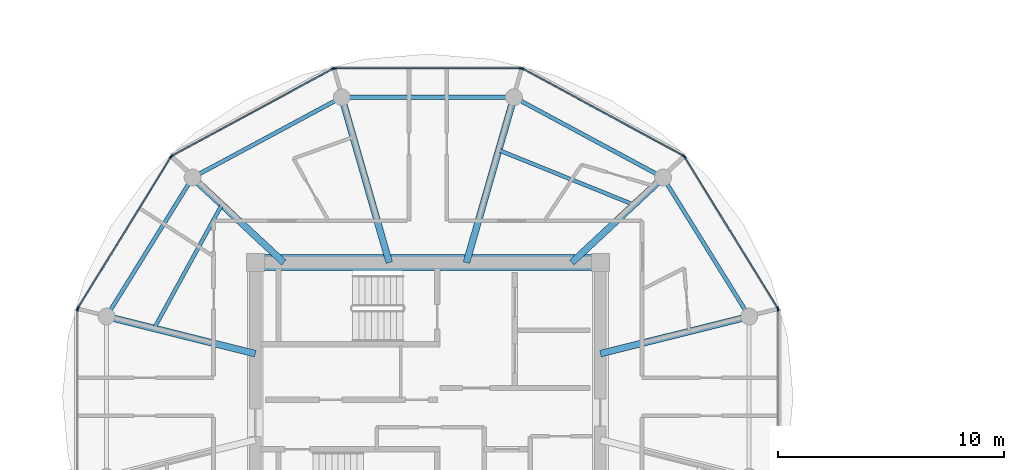
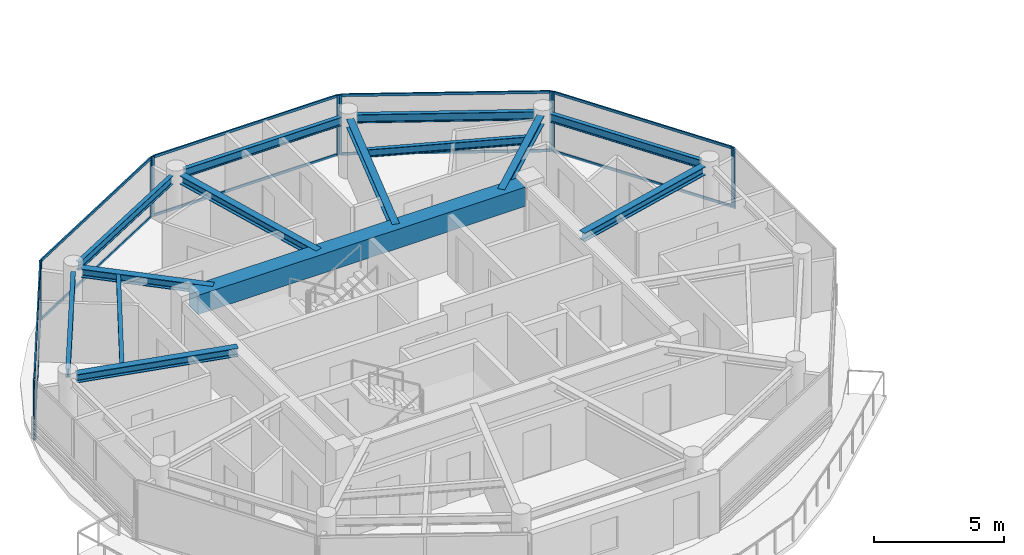
# One storey, part 4 of 19: 22 members, 14 beams, 7 elements without a shape of their own.
"""IFC4 building model written with IfcOpenShell, lengths in metres."""

from ifc_helpers import new_model, si_unit, direction, frame, origin, origin_2d, place, context, subcontext, project, spatial, rectangle, i_section, extrude, source, transform, mapped, material, layer, layer_set, material_profile, profile_set, type_object, type_shapes, element, aggregate, save


model = new_model("IFC4")

# Units and contexts
model_context = context("Model", 3, precision=1e-05, world=origin(), true_north=direction((0.0, 1.0)))
body_context = subcontext(model_context, "Body", "Model", "MODEL_VIEW")
ifc_project = project(units=[si_unit("LENGTHUNIT", "METRE"), si_unit("AREAUNIT", "SQUARE_METRE"), si_unit("VOLUMEUNIT", "CUBIC_METRE"), si_unit("PLANEANGLEUNIT", "RADIAN"), si_unit("MASSUNIT", "GRAM", prefix="KILO")], contexts=[model_context])

# Site, building, storey
site_placement = place(None, origin())
site = spatial("IfcSite", under=ifc_project, at=site_placement, CompositionType="ELEMENT")
building_placement = place(site_placement, origin())
building = spatial("IfcBuilding", under=site, at=building_placement, Name="Norrkilde Senior Care Towers", CompositionType="ELEMENT")
storey_placement = place(building_placement, frame((0.0, 0.0, 235.25)))
storey = spatial("IfcBuildingStorey", under=building, at=storey_placement, Name="L73", CompositionType="ELEMENT", Elevation=235.25)

# Beams
ifc_material_1 = material(Name="Concrete C60/75", Category="concrete")
ifc_material_profile_1 = material_profile(ifc_material_1, rectangle(XDim=0.699951171875, YDim=0.89990234375, at=origin_2d()), Name="RC BM 700x900")
ifc_profile_set_1 = profile_set([ifc_material_profile_1], Name="Concrete C60/75")
beam_type_1 = type_object("IfcBeamType", Name="Core Coupling Girder 700x900", PredefinedType="USERDEFINED", material=ifc_profile_set_1)
shared_shape_1 = source(origin(), body_context, "Body", "SweptSolid", [
    extrude(rectangle(XDim=0.699951171875, YDim=0.89990234375, at=origin_2d()), origin(), (0.0, 0.0, 1.0), 14.5400390625),
])
type_shapes(beam_type_1, [shared_shape_1])
beam_1_placement = place(storey_placement, frame((-35.27001953125, 5.949951171875, 2.360107421875), z_axis=(1.0, 0.0, 0.0), x_axis=(0.0, 1.0, 0.0)))
element("IfcBeam", 1, at=beam_1_placement, inside=storey, type_object=beam_type_1, Name="L73 Core W N Coupling Girder", ObjectType="GIRDER", PredefinedType="USERDEFINED", context=body_context, shape_type="MappedRepresentation", body=[
    mapped(shared_shape_1, transform((0.0, 0.0, 0.0), x_axis=(1.0, 0.0, 0.0), y_axis=(0.0, 1.0, 0.0), z_axis=(0.0, 0.0, 1.0), scale=1.0)),
])
ifc_material_2 = material(Name="Steel S355", Category="steel")
ifc_material_profile_2 = material_profile(ifc_material_2, i_section(OverallWidth=0.179931640625, OverallDepth=0.39990234375, WebThickness=0.008544921875, FlangeThickness=0.013427734375, FilletRadius=0.02099609375, at=origin_2d()), Name="IPE 400")
ifc_profile_set_2 = profile_set([ifc_material_profile_2], Name="Steel S355")
beam_type_2 = type_object("IfcBeamType", Name="Perimeter Ring Spandrel Z4 IPE400", PredefinedType="SPANDREL", material=ifc_profile_set_2)
shared_shape_2 = source(origin(), body_context, "Body", "SweptSolid", [
    extrude(i_section(OverallWidth=0.179931640625, OverallDepth=0.39990234375, WebThickness=0.008544921875, FlangeThickness=0.013427734375, FilletRadius=0.02099609375, at=origin_2d()), origin(), (0.0, 0.0, 1.0), 6.58056640625),
])
for number, where, z_axis, x_axis, name in (
    (2, (-13.928955078125, 3.843505859375, 2.610107421875), (-0.526529583789, 0.850156807533, 0.0), (-0.850156807533, -0.526529583789, 0.0), "L73 Drum W Perimeter Spandrel 01"),
    (3, (-38.606201171875, 9.43798828125, 2.610107421875), (-0.526529583789, -0.850156807533, 0.0), (0.850156807533, -0.526529583789, 0.0), "L73 Drum W Perimeter Spandrel 05"),
):
    element("IfcBeam", number, at=place(storey_placement, frame(where, z_axis=z_axis, x_axis=x_axis)), inside=storey, type_object=beam_type_2, Name=name, PredefinedType="SPANDREL", context=body_context, shape_type="MappedRepresentation", body=[
        mapped(shared_shape_2, transform((0.0, 0.0, 0.0), x_axis=(1.0, 0.0, 0.0), y_axis=(0.0, 1.0, 0.0), z_axis=(0.0, 0.0, 1.0), scale=1.0)),
    ])
ifc_material_profile_3 = material_profile(ifc_material_2, i_section(OverallWidth=0.300048828125, OverallDepth=0.39990234375, WebThickness=0.013427734375, FlangeThickness=0.02392578125, FilletRadius=0.027099609375, at=origin_2d()), Name="HEB 400")
ifc_profile_set_3 = profile_set([ifc_material_profile_3], Name="Steel S355")
beam_type_3 = type_object("IfcBeamType", Name="Radial Floor Beam Z4 HEB400", PredefinedType="BEAM", material=ifc_profile_set_3)
shared_shape_3 = source(origin(), body_context, "Body", "SweptSolid", [
    extrude(i_section(OverallWidth=0.300048828125, OverallDepth=0.39990234375, WebThickness=0.013427734375, FlangeThickness=0.02392578125, FilletRadius=0.027099609375, at=origin_2d()), origin(), (0.0, 0.0, 1.0), 6.465087890625),
])
for number, where, z_axis, x_axis, name in (
    (4, (-20.35009765625, 1.910888671875, 2.610107421875), (0.970195788563, 0.242322371758, 0.0), (-0.242322371758, 0.970195788563, 0.0), "L73 Drum W Radial Floor Beam 01"),
    (5, (-35.64990234375, 1.910888671875, 2.610107421875), (-0.970195788563, 0.242322371758, 0.0), (-0.242322371758, -0.970195788563, 0.0), "L73 Drum W Radial Floor Beam 06"),
):
    element("IfcBeam", number, at=place(storey_placement, frame(where, z_axis=z_axis, x_axis=x_axis)), inside=storey, type_object=beam_type_3, Name=name, PredefinedType="BEAM", context=body_context, shape_type="MappedRepresentation", body=[
        mapped(shared_shape_3, transform((0.0, 0.0, 0.0), x_axis=(1.0, 0.0, 0.0), y_axis=(0.0, 1.0, 0.0), z_axis=(0.0, 0.0, 1.0), scale=1.0)),
    ])
shared_shape_4 = source(origin(), body_context, "Body", "SweptSolid", [
    extrude(i_section(OverallWidth=0.179931640625, OverallDepth=0.39990234375, WebThickness=0.008544921875, FlangeThickness=0.013427734375, FilletRadius=0.02099609375, at=origin_2d()), origin(), (0.0, 0.0, 1.0), 6.839111328125),
])
for number, where, z_axis, x_axis, name in (
    (6, (-17.865234375, 9.881591796875, 2.610107421875), (-0.880563930732, 0.473927382511, 0.0), (-0.473927382511, -0.880563930732, 0.0), "L73 Drum W Perimeter Spandrel 02"),
    (7, (-32.112548828125, 13.122802734375, 2.610107421875), (-0.880563930732, -0.473927382511, 0.0), (0.473927382511, -0.880563930732, 0.0), "L73 Drum W Perimeter Spandrel 04"),
):
    element("IfcBeam", number, at=place(storey_placement, frame(where, z_axis=z_axis, x_axis=x_axis)), inside=storey, type_object=beam_type_2, Name=name, PredefinedType="SPANDREL", context=body_context, shape_type="MappedRepresentation", body=[
        mapped(shared_shape_4, transform((0.0, 0.0, 0.0), x_axis=(1.0, 0.0, 0.0), y_axis=(0.0, 1.0, 0.0), z_axis=(0.0, 0.0, 1.0), scale=1.0)),
    ])
shared_shape_5 = source(origin(), body_context, "Body", "SweptSolid", [
    extrude(i_section(OverallWidth=0.300048828125, OverallDepth=0.39990234375, WebThickness=0.013427734375, FlangeThickness=0.02392578125, FilletRadius=0.027099609375, at=origin_2d()), origin(), (0.0, 0.0, 1.0), 5.197998046875),
])
for number, where, z_axis, x_axis, name in (
    (8, (-21.6171875, 5.949951171875, 2.610107421875), (0.731448749334, 0.681896419625, 0.0), (-0.681896419625, 0.731448749334, 0.0), "L73 Drum W Radial Floor Beam 02"),
    (9, (-34.3828125, 5.949951171875, 2.610107421875), (-0.731448749334, 0.681896419625, 0.0), (-0.681896419625, -0.731448749334, 0.0), "L73 Drum W Radial Floor Beam 05"),
):
    element("IfcBeam", number, at=place(storey_placement, frame(where, z_axis=z_axis, x_axis=x_axis)), inside=storey, type_object=beam_type_3, Name=name, PredefinedType="BEAM", context=body_context, shape_type="MappedRepresentation", body=[
        mapped(shared_shape_5, transform((0.0, 0.0, 0.0), x_axis=(1.0, 0.0, 0.0), y_axis=(0.0, 1.0, 0.0), z_axis=(0.0, 0.0, 1.0), scale=1.0)),
    ])
shared_shape_6 = source(origin(), body_context, "Body", "SweptSolid", [
    extrude(i_section(OverallWidth=0.179931640625, OverallDepth=0.39990234375, WebThickness=0.008544921875, FlangeThickness=0.013427734375, FilletRadius=0.02099609375, at=origin_2d()), origin(), (0.0, 0.0, 1.0), 6.96533203125),
])
type_shapes(beam_type_2, [shared_shape_2, shared_shape_4, shared_shape_6])
beam_2_placement = place(storey_placement, frame((-24.517333984375, 13.281494140625, 2.610107421875), z_axis=(-1.0, 0.0, 0.0), x_axis=(0.0, -1.0, 0.0)))
element("IfcBeam", 10, at=beam_2_placement, inside=storey, type_object=beam_type_2, Name="L73 Drum W Perimeter Spandrel 03", PredefinedType="SPANDREL", context=body_context, shape_type="MappedRepresentation", body=[
    mapped(shared_shape_6, transform((0.0, 0.0, 0.0), x_axis=(1.0, 0.0, 0.0), y_axis=(0.0, 1.0, 0.0), z_axis=(0.0, 0.0, 1.0), scale=1.0)),
])
shared_shape_7 = source(origin(), body_context, "Body", "SweptSolid", [
    extrude(i_section(OverallWidth=0.300048828125, OverallDepth=0.39990234375, WebThickness=0.013427734375, FlangeThickness=0.02392578125, FilletRadius=0.027099609375, at=origin_2d()), origin(), (0.0, 0.0, 1.0), 7.29345703125),
])
type_shapes(beam_type_3, [shared_shape_3, shared_shape_5, shared_shape_7])
for number, where, z_axis, x_axis, name in (
    (11, (-26.289794921875, 5.949951171875, 2.610107421875), (0.276263751906, 0.961081858836, 0.0), (-0.961081858836, 0.276263751906, 0.0), "L73 Drum W Radial Floor Beam 03"),
    (12, (-29.710205078125, 5.949951171875, 2.610107421875), (-0.276263751906, 0.961081858836, 0.0), (-0.961081858836, -0.276263751906, 0.0), "L73 Drum W Radial Floor Beam 04"),
):
    element("IfcBeam", number, at=place(storey_placement, frame(where, z_axis=z_axis, x_axis=x_axis)), inside=storey, type_object=beam_type_3, Name=name, PredefinedType="BEAM", context=body_context, shape_type="MappedRepresentation", body=[
        mapped(shared_shape_7, transform((0.0, 0.0, 0.0), x_axis=(1.0, 0.0, 0.0), y_axis=(0.0, 1.0, 0.0), z_axis=(0.0, 0.0, 1.0), scale=1.0)),
    ])
ifc_material_profile_4 = material_profile(ifc_material_2, i_section(OverallWidth=0.169921875, OverallDepth=0.360107421875, WebThickness=0.008056640625, FlangeThickness=0.0126953125, FilletRadius=0.01806640625, at=origin_2d()), Name="IPE 360")
ifc_profile_set_4 = profile_set([ifc_material_profile_4], Name="Steel S355")
beam_type_4 = type_object("IfcBeamType", Name="Secondary Floor Joist IPE360", PredefinedType="JOIST", material=ifc_profile_set_4)
shared_shape_8 = source(origin(), body_context, "Body", "SweptSolid", [
    extrude(i_section(OverallWidth=0.169921875, OverallDepth=0.360107421875, WebThickness=0.008056640625, FlangeThickness=0.0126953125, FilletRadius=0.01806640625, at=origin_2d()), origin(), (0.0, 0.0, 1.0), 6.461669921875),
])
beam_3_placement = place(storey_placement, frame((-18.865234375, 8.515380859375, 2.6298828125), z_axis=(-0.927225942298, 0.374502405772, 0.0), x_axis=(-0.374502405772, -0.927225942298, 0.0)))
element("IfcBeam", 13, at=beam_3_placement, inside=storey, type_object=beam_type_4, Name="L73 Drum W Secondary Floor Joist 1", PredefinedType="JOIST", context=body_context, shape_type="MappedRepresentation", body=[
    mapped(shared_shape_8, transform((0.0, 0.0, 0.0), x_axis=(1.0, 0.0, 0.0), y_axis=(0.0, 1.0, 0.0), z_axis=(0.0, 0.0, 1.0), scale=1.0)),
])
shared_shape_9 = source(origin(), body_context, "Body", "SweptSolid", [
    extrude(i_section(OverallWidth=0.169921875, OverallDepth=0.360107421875, WebThickness=0.008056640625, FlangeThickness=0.0126953125, FilletRadius=0.01806640625, at=origin_2d()), origin(), (0.0, 0.0, 1.0), 6.25146484375),
])
type_shapes(beam_type_4, [shared_shape_8, shared_shape_9])
beam_4_placement = place(storey_placement, frame((-37.134765625, 8.515380859375, 2.6298828125), z_axis=(-0.480115752653, -0.877205143655, 0.0), x_axis=(0.877205143655, -0.480115752653, 0.0)))
element("IfcBeam", 14, at=beam_4_placement, inside=storey, type_object=beam_type_4, Name="L73 Drum W Secondary Floor Joist 2", PredefinedType="JOIST", context=body_context, shape_type="MappedRepresentation", body=[
    mapped(shared_shape_9, transform((0.0, 0.0, 0.0), x_axis=(1.0, 0.0, 0.0), y_axis=(0.0, 1.0, 0.0), z_axis=(0.0, 0.0, 1.0), scale=1.0)),
])

# Curtain wall, members
ifc_material_3 = material(Name="Triple Low-E Insulated Glazing", Category="glass")
ifc_layer = layer(ifc_material_3, 0.18505859375)
ifc_layer_set = layer_set([ifc_layer], Name="Triple Low-E Insulated Glazing")
curtain_wall_type = type_object("IfcCurtainWallType", Name="CW6 Zone 4 Crown Pavilion Curtain Wall", PredefinedType="NOTDEFINED", material=ifc_layer_set)
curtain_wall_1_placement = place(storey_placement, origin())
curtain_wall_1 = element("IfcCurtainWall", 15, at=curtain_wall_1_placement, inside=storey, type_object=curtain_wall_type, Name="L73 Drum W Curtain Wall 00", PredefinedType="NOTDEFINED")
ifc_material_4 = material(Name="Anodised Aluminium", Category="aluminium")
ifc_material_profile_5 = material_profile(ifc_material_4, rectangle(XDim=0.06494140625, YDim=0.14990234375, at=origin_2d()), Name="ALU MULL 65x150")
ifc_profile_set_5 = profile_set([ifc_material_profile_5], Name="Anodised Aluminium")
member_type_1 = type_object("IfcMemberType", Name="Curtain Wall Mullion Z3-Z4 65x150", PredefinedType="MULLION", material=ifc_profile_set_5)
shared_shape_10 = source(origin(), body_context, "Body", "SweptSolid", [
    extrude(rectangle(XDim=0.06494140625, YDim=0.14990234375, at=origin_2d()), origin(), (0.0, 0.0, 1.0), 2.81005859375),
])
type_shapes(member_type_1, [shared_shape_10])
member_1_placement = place(storey_placement, frame((-16.61279296875, 10.635498046875, 0.0), z_axis=(0.0, 0.0, 1.0), x_axis=(0.851562727283, 0.524252726748, 0.0)))
member_1 = element("IfcMember", 16, at=member_1_placement, type_object=member_type_1, Name="CW-6 mullion 1", PredefinedType="MULLION", context=body_context, shape_type="MappedRepresentation", body=[
    mapped(shared_shape_10, transform((0.0, 0.0, 0.0), x_axis=(1.0, 0.0, 0.0), y_axis=(0.0, 1.0, 0.0), z_axis=(0.0, 0.0, 1.0), scale=1.0)),
])
member_2_placement = place(storey_placement, frame((-12.48486328125, 3.9306640625, 0.0), z_axis=(0.0, 0.0, 1.0), x_axis=(0.851562727283, 0.524252726748, 0.0)))
member_2 = element("IfcMember", 17, at=member_2_placement, type_object=member_type_1, Name="CW-6 mullion 2", PredefinedType="MULLION", context=body_context, shape_type="MappedRepresentation", body=[
    mapped(shared_shape_10, transform((0.0, 0.0, 0.0), x_axis=(1.0, 0.0, 0.0), y_axis=(0.0, 1.0, 0.0), z_axis=(0.0, 0.0, 1.0), scale=1.0)),
])

curtain_wall_2_placement = place(storey_placement, origin())
curtain_wall_2 = element("IfcCurtainWall", 18, at=curtain_wall_2_placement, inside=storey, type_object=curtain_wall_type, Name="L73 Drum W Curtain Wall 01", PredefinedType="NOTDEFINED")
member_3_placement = place(storey_placement, frame((-23.8095703125, 14.55078125, 0.0), z_axis=(0.0, 0.0, 1.0), x_axis=(0.476132676136, 0.879373455772, 0.0)))
member_3 = element("IfcMember", 19, at=member_3_placement, type_object=member_type_1, Name="CW-6 mullion 1", PredefinedType="MULLION", context=body_context, shape_type="MappedRepresentation", body=[
    mapped(shared_shape_10, transform((0.0, 0.0, 0.0), x_axis=(1.0, 0.0, 0.0), y_axis=(0.0, 1.0, 0.0), z_axis=(0.0, 0.0, 1.0), scale=1.0)),
])
member_4_placement = place(storey_placement, frame((-16.658203125, 10.6787109375, 0.0), z_axis=(0.0, 0.0, 1.0), x_axis=(0.476132676136, 0.879373455772, 0.0)))
member_4 = element("IfcMember", 20, at=member_4_placement, type_object=member_type_1, Name="CW-6 mullion 2", PredefinedType="MULLION", context=body_context, shape_type="MappedRepresentation", body=[
    mapped(shared_shape_10, transform((0.0, 0.0, 0.0), x_axis=(1.0, 0.0, 0.0), y_axis=(0.0, 1.0, 0.0), z_axis=(0.0, 0.0, 1.0), scale=1.0)),
])

curtain_wall_3_placement = place(storey_placement, origin())
curtain_wall_3 = element("IfcCurtainWall", 21, at=curtain_wall_3_placement, inside=storey, type_object=curtain_wall_type, Name="L73 Drum W Curtain Wall 02", PredefinedType="NOTDEFINED")
member_5_placement = place(storey_placement, frame((-32.12939453125, 14.566162109375, 0.0), z_axis=(0.0, 0.0, 1.0), x_axis=(0.0, 1.0, 0.0)))
member_5 = element("IfcMember", 22, at=member_5_placement, type_object=member_type_1, Name="CW-6 mullion 1", PredefinedType="MULLION", context=body_context, shape_type="MappedRepresentation", body=[
    mapped(shared_shape_10, transform((0.0, 0.0, 0.0), x_axis=(1.0, 0.0, 0.0), y_axis=(0.0, 1.0, 0.0), z_axis=(0.0, 0.0, 1.0), scale=1.0)),
])
member_6_placement = place(storey_placement, frame((-23.87060546875, 14.566162109375, 0.0), z_axis=(0.0, 0.0, 1.0), x_axis=(0.0, 1.0, 0.0)))
member_6 = element("IfcMember", 23, at=member_6_placement, type_object=member_type_1, Name="CW-6 mullion 2", PredefinedType="MULLION", context=body_context, shape_type="MappedRepresentation", body=[
    mapped(shared_shape_10, transform((0.0, 0.0, 0.0), x_axis=(1.0, 0.0, 0.0), y_axis=(0.0, 1.0, 0.0), z_axis=(0.0, 0.0, 1.0), scale=1.0)),
])

curtain_wall_4_placement = place(storey_placement, origin())
curtain_wall_4 = element("IfcCurtainWall", 24, at=curtain_wall_4_placement, inside=storey, type_object=curtain_wall_type, Name="L73 Drum W Curtain Wall 03", PredefinedType="NOTDEFINED")
member_7_placement = place(storey_placement, frame((-39.341796875, 10.6787109375, 0.0), z_axis=(0.0, 0.0, 1.0), x_axis=(-0.476132676136, 0.879373455772, 0.0)))
member_7 = element("IfcMember", 25, at=member_7_placement, type_object=member_type_1, Name="CW-6 mullion 1", PredefinedType="MULLION", context=body_context, shape_type="MappedRepresentation", body=[
    mapped(shared_shape_10, transform((0.0, 0.0, 0.0), x_axis=(1.0, 0.0, 0.0), y_axis=(0.0, 1.0, 0.0), z_axis=(0.0, 0.0, 1.0), scale=1.0)),
])
member_8_placement = place(storey_placement, frame((-32.1904296875, 14.55078125, 0.0), z_axis=(0.0, 0.0, 1.0), x_axis=(-0.476132676136, 0.879373455772, 0.0)))
member_8 = element("IfcMember", 26, at=member_8_placement, type_object=member_type_1, Name="CW-6 mullion 2", PredefinedType="MULLION", context=body_context, shape_type="MappedRepresentation", body=[
    mapped(shared_shape_10, transform((0.0, 0.0, 0.0), x_axis=(1.0, 0.0, 0.0), y_axis=(0.0, 1.0, 0.0), z_axis=(0.0, 0.0, 1.0), scale=1.0)),
])

curtain_wall_5_placement = place(storey_placement, origin())
curtain_wall_5 = element("IfcCurtainWall", 27, at=curtain_wall_5_placement, inside=storey, type_object=curtain_wall_type, Name="L73 Drum W Curtain Wall 04", PredefinedType="NOTDEFINED")
member_9_placement = place(storey_placement, frame((-43.51513671875, 3.9306640625, 0.0), z_axis=(0.0, 0.0, 1.0), x_axis=(-0.851562727283, 0.524252726748, 0.0)))
member_9 = element("IfcMember", 28, at=member_9_placement, type_object=member_type_1, Name="CW-6 mullion 1", PredefinedType="MULLION", context=body_context, shape_type="MappedRepresentation", body=[
    mapped(shared_shape_10, transform((0.0, 0.0, 0.0), x_axis=(1.0, 0.0, 0.0), y_axis=(0.0, 1.0, 0.0), z_axis=(0.0, 0.0, 1.0), scale=1.0)),
])
member_10_placement = place(storey_placement, frame((-39.38720703125, 10.635498046875, 0.0), z_axis=(0.0, 0.0, 1.0), x_axis=(-0.851562727283, 0.524252726748, 0.0)))
member_10 = element("IfcMember", 29, at=member_10_placement, type_object=member_type_1, Name="CW-6 mullion 2", PredefinedType="MULLION", context=body_context, shape_type="MappedRepresentation", body=[
    mapped(shared_shape_10, transform((0.0, 0.0, 0.0), x_axis=(1.0, 0.0, 0.0), y_axis=(0.0, 1.0, 0.0), z_axis=(0.0, 0.0, 1.0), scale=1.0)),
])

# Curtain wall, member
curtain_wall_6_placement = place(storey_placement, origin())
curtain_wall_6 = element("IfcCurtainWall", 30, at=curtain_wall_6_placement, inside=storey, type_object=curtain_wall_type, Name="L73 Drum W Curtain Wall 05", PredefinedType="NOTDEFINED")
member_11_placement = place(storey_placement, frame((-43.531982421875, 3.87060546875, 0.0), z_axis=(0.0, 0.0, 1.0), x_axis=(-1.0, 0.0, 0.0)))
member_11 = element("IfcMember", 31, at=member_11_placement, type_object=member_type_1, Name="CW-6 mullion 2", PredefinedType="MULLION", context=body_context, shape_type="MappedRepresentation", body=[
    mapped(shared_shape_10, transform((0.0, 0.0, 0.0), x_axis=(1.0, 0.0, 0.0), y_axis=(0.0, 1.0, 0.0), z_axis=(0.0, 0.0, 1.0), scale=1.0)),
])
aggregate(curtain_wall_6, [member_11])

curtain_wall_7_placement = place(storey_placement, origin())
curtain_wall_7 = element("IfcCurtainWall", 32, at=curtain_wall_7_placement, inside=storey, type_object=curtain_wall_type, Name="L73 Drum W Curtain Wall 11", PredefinedType="NOTDEFINED")
member_12_placement = place(storey_placement, frame((-12.468017578125, 3.87060546875, 0.0), z_axis=(0.0, 0.0, 1.0), x_axis=(1.0, 0.0, 0.0)))
member_12 = element("IfcMember", 33, at=member_12_placement, type_object=member_type_1, Name="CW-6 mullion 1", PredefinedType="MULLION", context=body_context, shape_type="MappedRepresentation", body=[
    mapped(shared_shape_10, transform((0.0, 0.0, 0.0), x_axis=(1.0, 0.0, 0.0), y_axis=(0.0, 1.0, 0.0), z_axis=(0.0, 0.0, 1.0), scale=1.0)),
])
aggregate(curtain_wall_7, [member_12])

# Member
ifc_material_profile_6 = material_profile(ifc_material_4, rectangle(XDim=0.06005859375, YDim=0.1201171875, at=origin_2d()), Name="ALU TRAN 60x120")
ifc_profile_set_6 = profile_set([ifc_material_profile_6], Name="Anodised Aluminium")
member_type_2 = type_object("IfcMemberType", Name="Curtain Wall Transom Typical 60x120", PredefinedType="USERDEFINED", material=ifc_profile_set_6)
shared_shape_11 = source(origin(), body_context, "Body", "SweptSolid", [
    extrude(rectangle(XDim=0.06005859375, YDim=0.1201171875, at=origin_2d()), origin(), (0.0, 0.0, 1.0), 7.808837890625),
])
member_13_placement = place(storey_placement, frame((-16.595703125, 10.60791015625, 0.030029296875), z_axis=(0.524250924101, -0.851563837055, 0.0), x_axis=(0.851563837055, 0.524250924101, 0.0)))
member_13 = element("IfcMember", 34, at=member_13_placement, type_object=member_type_2, Name="CW-6 transom 1.1", ObjectType="TRANSOM", PredefinedType="USERDEFINED", context=body_context, shape_type="MappedRepresentation", body=[
    mapped(shared_shape_11, transform((0.0, 0.0, 0.0), x_axis=(1.0, 0.0, 0.0), y_axis=(0.0, 1.0, 0.0), z_axis=(0.0, 0.0, 1.0), scale=1.0)),
])

member_14_placement = place(storey_placement, frame((-16.595703125, 10.60791015625, 2.780029296875), z_axis=(0.524250924101, -0.851563837055, 0.0), x_axis=(0.851563837055, 0.524250924101, 0.0)))
member_14 = element("IfcMember", 35, at=member_14_placement, type_object=member_type_2, Name="CW-6 transom 1.2", ObjectType="TRANSOM", PredefinedType="USERDEFINED", context=body_context, shape_type="MappedRepresentation", body=[
    mapped(shared_shape_11, transform((0.0, 0.0, 0.0), x_axis=(1.0, 0.0, 0.0), y_axis=(0.0, 1.0, 0.0), z_axis=(0.0, 0.0, 1.0), scale=1.0)),
])

aggregate(curtain_wall_1, [member_1, member_2, member_13, member_14])

member_15_placement = place(storey_placement, frame((-43.498046875, 3.958251953125, 0.030029296875), z_axis=(0.524250924101, 0.851563837055, 0.0), x_axis=(-0.851563837055, 0.524250924101, 0.0)))
member_15 = element("IfcMember", 36, at=member_15_placement, type_object=member_type_2, Name="CW-6 transom 1.1", ObjectType="TRANSOM", PredefinedType="USERDEFINED", context=body_context, shape_type="MappedRepresentation", body=[
    mapped(shared_shape_11, transform((0.0, 0.0, 0.0), x_axis=(1.0, 0.0, 0.0), y_axis=(0.0, 1.0, 0.0), z_axis=(0.0, 0.0, 1.0), scale=1.0)),
])

member_16_placement = place(storey_placement, frame((-43.498046875, 3.958251953125, 2.780029296875), z_axis=(0.524250924101, 0.851563837055, 0.0), x_axis=(-0.851563837055, 0.524250924101, 0.0)))
member_16 = element("IfcMember", 37, at=member_16_placement, type_object=member_type_2, Name="CW-6 transom 1.2", ObjectType="TRANSOM", PredefinedType="USERDEFINED", context=body_context, shape_type="MappedRepresentation", body=[
    mapped(shared_shape_11, transform((0.0, 0.0, 0.0), x_axis=(1.0, 0.0, 0.0), y_axis=(0.0, 1.0, 0.0), z_axis=(0.0, 0.0, 1.0), scale=1.0)),
])

aggregate(curtain_wall_5, [member_9, member_10, member_15, member_16])

shared_shape_12 = source(origin(), body_context, "Body", "SweptSolid", [
    extrude(rectangle(XDim=0.06005859375, YDim=0.1201171875, at=origin_2d()), origin(), (0.0, 0.0, 1.0), 8.19384765625),
])
member_17_placement = place(storey_placement, frame((-32.096923828125, 14.566162109375, 0.030029296875), z_axis=(1.0, 0.0, 0.0), x_axis=(0.0, 1.0, 0.0)))
member_17 = element("IfcMember", 38, at=member_17_placement, type_object=member_type_2, Name="CW-6 transom 1.1", ObjectType="TRANSOM", PredefinedType="USERDEFINED", context=body_context, shape_type="MappedRepresentation", body=[
    mapped(shared_shape_12, transform((0.0, 0.0, 0.0), x_axis=(1.0, 0.0, 0.0), y_axis=(0.0, 1.0, 0.0), z_axis=(0.0, 0.0, 1.0), scale=1.0)),
])

member_18_placement = place(storey_placement, frame((-32.096923828125, 14.566162109375, 2.780029296875), z_axis=(1.0, 0.0, 0.0), x_axis=(0.0, 1.0, 0.0)))
member_18 = element("IfcMember", 39, at=member_18_placement, type_object=member_type_2, Name="CW-6 transom 1.2", ObjectType="TRANSOM", PredefinedType="USERDEFINED", context=body_context, shape_type="MappedRepresentation", body=[
    mapped(shared_shape_12, transform((0.0, 0.0, 0.0), x_axis=(1.0, 0.0, 0.0), y_axis=(0.0, 1.0, 0.0), z_axis=(0.0, 0.0, 1.0), scale=1.0)),
])

aggregate(curtain_wall_3, [member_5, member_6, member_17, member_18])

shared_shape_13 = source(origin(), body_context, "Body", "SweptSolid", [
    extrude(rectangle(XDim=0.06005859375, YDim=0.1201171875, at=origin_2d()), origin(), (0.0, 0.0, 1.0), 8.0673828125),
])
type_shapes(member_type_2, [shared_shape_11, shared_shape_12, shared_shape_13])
member_19_placement = place(storey_placement, frame((-23.781005859375, 14.53515625, 0.030029296875), z_axis=(0.87937750072, -0.476125205411, 0.0), x_axis=(0.476125205411, 0.87937750072, 0.0)))
member_19 = element("IfcMember", 40, at=member_19_placement, type_object=member_type_2, Name="CW-6 transom 1.1", ObjectType="TRANSOM", PredefinedType="USERDEFINED", context=body_context, shape_type="MappedRepresentation", body=[
    mapped(shared_shape_13, transform((0.0, 0.0, 0.0), x_axis=(1.0, 0.0, 0.0), y_axis=(0.0, 1.0, 0.0), z_axis=(0.0, 0.0, 1.0), scale=1.0)),
])

member_20_placement = place(storey_placement, frame((-23.781005859375, 14.53515625, 2.780029296875), z_axis=(0.87937750072, -0.476125205411, 0.0), x_axis=(0.476125205411, 0.87937750072, 0.0)))
member_20 = element("IfcMember", 41, at=member_20_placement, type_object=member_type_2, Name="CW-6 transom 1.2", ObjectType="TRANSOM", PredefinedType="USERDEFINED", context=body_context, shape_type="MappedRepresentation", body=[
    mapped(shared_shape_13, transform((0.0, 0.0, 0.0), x_axis=(1.0, 0.0, 0.0), y_axis=(0.0, 1.0, 0.0), z_axis=(0.0, 0.0, 1.0), scale=1.0)),
])

aggregate(curtain_wall_2, [member_3, member_4, member_19, member_20])

member_21_placement = place(storey_placement, frame((-39.313232421875, 10.694091796875, 0.030029296875), z_axis=(0.87937750072, 0.476125205411, 0.0), x_axis=(-0.476125205411, 0.87937750072, 0.0)))
member_21 = element("IfcMember", 42, at=member_21_placement, type_object=member_type_2, Name="CW-6 transom 1.1", ObjectType="TRANSOM", PredefinedType="USERDEFINED", context=body_context, shape_type="MappedRepresentation", body=[
    mapped(shared_shape_13, transform((0.0, 0.0, 0.0), x_axis=(1.0, 0.0, 0.0), y_axis=(0.0, 1.0, 0.0), z_axis=(0.0, 0.0, 1.0), scale=1.0)),
])

member_22_placement = place(storey_placement, frame((-39.313232421875, 10.694091796875, 2.780029296875), z_axis=(0.87937750072, 0.476125205411, 0.0), x_axis=(-0.476125205411, 0.87937750072, 0.0)))
member_22 = element("IfcMember", 43, at=member_22_placement, type_object=member_type_2, Name="CW-6 transom 1.2", ObjectType="TRANSOM", PredefinedType="USERDEFINED", context=body_context, shape_type="MappedRepresentation", body=[
    mapped(shared_shape_13, transform((0.0, 0.0, 0.0), x_axis=(1.0, 0.0, 0.0), y_axis=(0.0, 1.0, 0.0), z_axis=(0.0, 0.0, 1.0), scale=1.0)),
])

aggregate(curtain_wall_4, [member_7, member_8, member_21, member_22])

save(model, "model.ifc")
